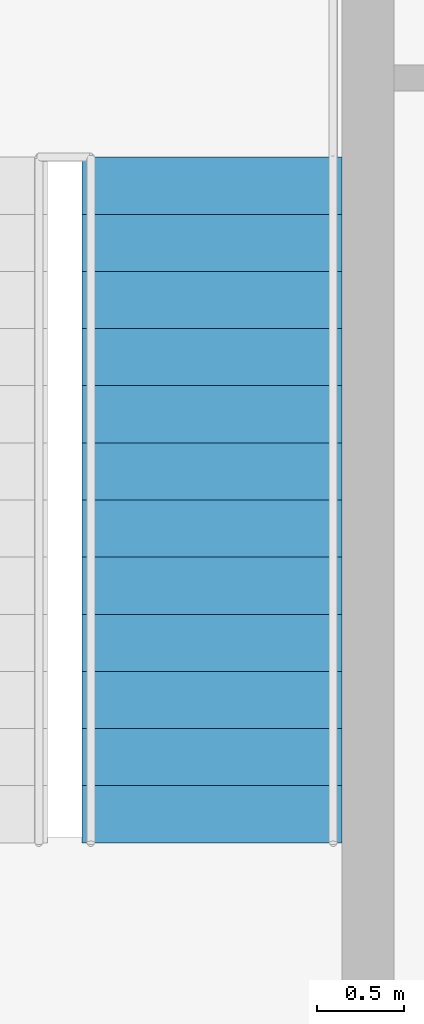
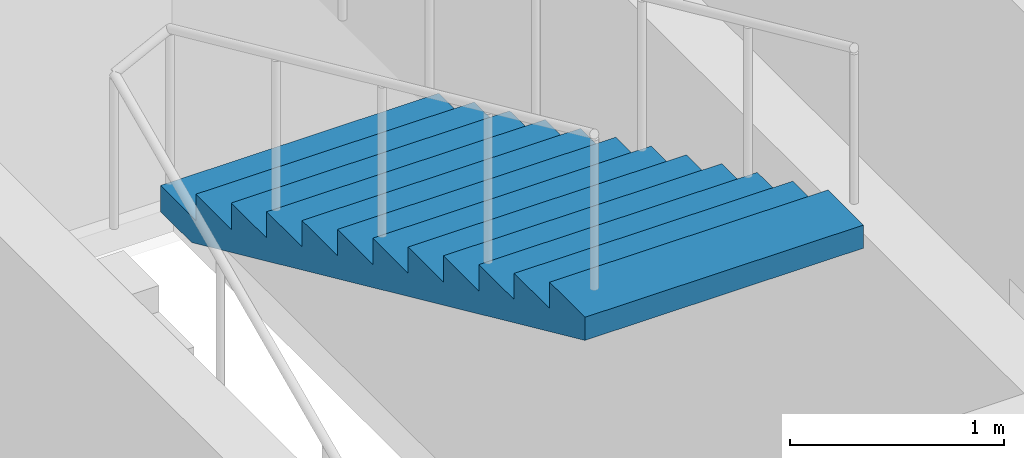
# One storey, part 9 of 10: 1 stair flight, 1 element without a shape of its own.
"""IFC4 building model written with IfcOpenShell, lengths in metres."""

import ifcopenshell
import ifcopenshell.guid

model = None  # the IFC model being written
_history = None  # IfcOwnerHistory: only IFC2X3 demands one
_inside = {}  # id of a spatial element -> (the spatial element, [elements in it])
_under = {}  # id of a project, library or spatial element -> (it, [spatial elements below it])
_declared = {}  # id of a project -> (the project, [libraries it declares])
_typed = {}  # id of a type object -> (the type object, [elements of that type])
_made_of = {}  # id of a material, layer set ... -> (it, [elements and type objects made of it])


def new_model(schema):
    """Start an empty IFC model of exactly this schema.

    Asked for "IFC4X3", IfcOpenShell would pick the latest addendum, in which some entities
    have other attributes; the version numbers below select the first issue.
    IFC2X3 requires an IfcOwnerHistory on every rooted entity: one is made here for all.
    """
    global model, _history
    if schema == "IFC4X3":
        model = ifcopenshell.file(schema_version=(4, 3, 0, 0))
    else:
        model = ifcopenshell.file(schema=schema)
    _inside.clear()
    _under.clear()
    _declared.clear()
    _typed.clear()
    _made_of.clear()
    _history = None
    if model.schema == "IFC2X3":
        org = make("IfcOrganization", Name="unknown")
        user = make(
            "IfcPersonAndOrganization",
            ThePerson=make("IfcPerson", FamilyName="unknown"),
            TheOrganization=org,
        )
        app = make(
            "IfcApplication",
            ApplicationDeveloper=org,
            Version="unknown",
            ApplicationFullName="unknown",
            ApplicationIdentifier="unknown",
        )
        _history = make(
            "IfcOwnerHistory",
            OwningUser=user,
            OwningApplication=app,
            ChangeAction="ADDED",
            CreationDate=0,
        )
    return model


def make(cls, **values):
    """One entity of the class cls with the attributes given. An attribute that is None is left unset."""
    return model.create_entity(
        cls, **{name: value for name, value in values.items() if value is not None}
    )


def rooted(cls, **values):
    """An entity with a GlobalId (a new one), such as an element, a storey or a relation."""
    return make(cls, GlobalId=ifcopenshell.guid.new(), OwnerHistory=_history, **values)


def si_unit(unit_type, name, prefix=None):
    """IfcSIUnit, for example si_unit("LENGTHUNIT", "METRE", prefix="MILLI")."""
    return make("IfcSIUnit", UnitType=unit_type, Prefix=prefix, Name=name)


def assignment(units):
    """IfcUnitAssignment: the units of a project."""
    return None if units is None else make("IfcUnitAssignment", Units=units)


def point(xyz):
    """IfcCartesianPoint."""
    return None if xyz is None else make("IfcCartesianPoint", Coordinates=xyz)


def direction(xyz):
    """IfcDirection."""
    return None if xyz is None else make("IfcDirection", DirectionRatios=xyz)


def frame(location, z_axis=None, x_axis=None):
    """IfcAxis2Placement3D, a coordinate frame: its origin and axes. An axis left out is left unset."""
    return make(
        "IfcAxis2Placement3D",
        Location=point(location),
        Axis=direction(z_axis),
        RefDirection=direction(x_axis),
    )


def origin():
    """The frame at (0, 0, 0) with its axes left unset."""
    return frame((0.0, 0.0, 0.0))


def place(relative_to, where):
    """IfcLocalPlacement: puts the frame where relative to a parent placement (None: the world)."""
    return make(
        "IfcLocalPlacement", PlacementRelTo=relative_to, RelativePlacement=where
    )


def context(
    kind, dimensions, precision=None, world=None, true_north=None, identifier=None
):
    """IfcGeometricRepresentationContext, for example the 3D "Model" context."""
    return make(
        "IfcGeometricRepresentationContext",
        ContextIdentifier=identifier,
        ContextType=kind,
        CoordinateSpaceDimension=dimensions,
        Precision=precision,
        WorldCoordinateSystem=world,
        TrueNorth=true_north,
    )


def subcontext(parent, identifier, kind, view, scale=None):
    """IfcGeometricRepresentationSubContext, for example "Body" below "Model"."""
    return make(
        "IfcGeometricRepresentationSubContext",
        ContextIdentifier=identifier,
        ContextType=kind,
        ParentContext=parent,
        TargetScale=scale,
        TargetView=view,
    )


def project(units=None, contexts=None):
    """IfcProject with its units and contexts."""
    return rooted(
        "IfcProject",
        Name="project",
        RepresentationContexts=contexts,
        UnitsInContext=assignment(units),
    )


def spatial(cls, under=None, at=None, **own):
    """A site, building, storey or space (cls), placed at a placement, below another one or the project."""
    s = rooted(cls, ObjectPlacement=at, **own)
    if under is not None:
        _under.setdefault(under.id(), (under, []))[1].append(s)
    return s


def point_list(points):
    """IfcCartesianPointList2D or 3D."""
    cls = (
        "IfcCartesianPointList2D" if len(points[0]) == 2 else "IfcCartesianPointList3D"
    )
    return make(cls, CoordList=points)


def polygons(points, faces, closed=None, point_numbers=None):
    """IfcPolygonalFaceSet: a face is its outer loop, then its inner loops; points numbered from 1."""
    made = []
    for loops in faces:
        if len(loops) == 1:
            made.append(make("IfcIndexedPolygonalFace", CoordIndex=loops[0]))
        else:
            made.append(
                make(
                    "IfcIndexedPolygonalFaceWithVoids",
                    CoordIndex=loops[0],
                    InnerCoordIndices=loops[1:],
                )
            )
    return make(
        "IfcPolygonalFaceSet",
        Coordinates=point_list(points),
        Closed=closed,
        Faces=made,
        PnIndex=point_numbers,
    )


def shape(context_of_items, identifier, shape_type, items):
    """IfcShapeRepresentation: the items that make up one representation, for example the "Body"."""
    return make(
        "IfcShapeRepresentation",
        ContextOfItems=context_of_items,
        RepresentationIdentifier=identifier,
        RepresentationType=shape_type,
        Items=items,
    )


def material(Name=None, Category=None):
    """IfcMaterial."""
    return make("IfcMaterial", Name=Name, Category=Category)


def made_of(thing, what):
    """Note that an element or type object is made of a material, layer set ...; save() writes the relation."""
    if what is not None:
        _made_of.setdefault(what.id(), (what, []))[1].append(thing)
    return thing


def type_object(cls, material=None, **own):
    """A type object (cls), such as IfcWallType, which elements share."""
    return made_of(rooted(cls, **own), material)


def element(
    cls,
    number,
    at=None,
    inside=None,
    cuts=None,
    type_object=None,
    material=None,
    context=None,
    identifier="Body",
    shape_type=None,
    held_by="IfcProductDefinitionShape",
    body=None,
    shapes=None,
    **own,
):
    """One element of the class cls, such as IfcWall. Its Tag is "e" and its number.

    at: its placement. inside: the storey or other place that contains it. cuts: it is an
    opening in that element (IfcRelVoidsElement). A single representation is given by context,
    identifier, shape_type and body (its items); several are given by shapes. held_by: the class
    of the entity that holds the representations. save() writes the other relations.
    """
    e = rooted(cls, Tag="e%d" % number, ObjectPlacement=at, **own)
    if body is not None:
        shapes = [shape(context, identifier, shape_type, body)]
    if shapes is not None:
        e.Representation = make(held_by, Representations=shapes)
    if inside is not None:
        _inside.setdefault(inside.id(), (inside, []))[1].append(e)
    if cuts is not None:
        rooted(
            "IfcRelVoidsElement", RelatingBuildingElement=cuts, RelatedOpeningElement=e
        )
    if type_object is not None:
        _typed.setdefault(type_object.id(), (type_object, []))[1].append(e)
    return made_of(e, material)


def aggregate(whole, parts):
    """IfcRelAggregates: a whole, such as a stair, and the parts it consists of."""
    return rooted("IfcRelAggregates", RelatingObject=whole, RelatedObjects=parts)


def save(model, path):
    """Write the relations noted so far, then the file.

    IfcRelAggregates (storeys below a building ...), IfcRelContainedInSpatialStructure (elements
    in a storey), IfcRelDefinesByType, IfcRelAssociatesMaterial and IfcRelDeclares: one each for
    every whole, place, type object, material and project.
    """
    for whole, parts in _under.values():
        aggregate(whole, parts)
    for where, things in _inside.values():
        rooted(
            "IfcRelContainedInSpatialStructure",
            RelatedElements=things,
            RelatingStructure=where,
        )
    for kind, things in _typed.values():
        rooted("IfcRelDefinesByType", RelatedObjects=things, RelatingType=kind)
    for what, things in _made_of.values():
        rooted("IfcRelAssociatesMaterial", RelatedObjects=things, RelatingMaterial=what)
    for by, libraries in _declared.values():
        rooted("IfcRelDeclares", RelatingContext=by, RelatedDefinitions=libraries)
    model.write(path)


model = new_model("IFC4")

# Units and contexts
model_context = context("Model", 3, precision=1e-05, world=origin(), true_north=direction((0.0, 1.0)))
body_context = subcontext(model_context, "Body", "Model", "MODEL_VIEW")
ifc_project = project(units=[si_unit("LENGTHUNIT", "METRE"), si_unit("AREAUNIT", "SQUARE_METRE"), si_unit("VOLUMEUNIT", "CUBIC_METRE"), si_unit("PLANEANGLEUNIT", "RADIAN"), si_unit("MASSUNIT", "GRAM", prefix="KILO")], contexts=[model_context])

# Site, building, storey
site_placement = place(None, origin())
site = spatial("IfcSite", under=ifc_project, at=site_placement, CompositionType="ELEMENT")
building_placement = place(site_placement, origin())
building = spatial("IfcBuilding", under=site, at=building_placement, Name="Njiva Tower", CompositionType="ELEMENT")
storey_placement = place(building_placement, frame((0.0, 0.0, 231.6)))
storey = spatial("IfcBuildingStorey", under=building, at=storey_placement, Name="L52", CompositionType="ELEMENT", Elevation=231.6)

# Stair, stair flight
ifc_material = material(Name="Concrete C40/50", Category="concrete")
stair_type = type_object("IfcStairType", Name="ST4 Exit stair 1500", PredefinedType="HALF_TURN_STAIR", material=ifc_material)
stair_placement = place(storey_placement, origin())
stair = element("IfcStair", 1, at=stair_placement, inside=storey, type_object=stair_type, Name="Stair B", PredefinedType="HALF_TURN_STAIR")
stair_flight_type = type_object("IfcStairFlightType", Name="FL4 Stair flight 1500", PredefinedType="STRAIGHT", material=ifc_material)
stair_flight_placement = place(storey_placement, frame((13.45, 15.06, 1.95), z_axis=(0.0, 0.0, 1.0), x_axis=(0.0, -1.0, 0.0)))
stair_flight = element("IfcStairFlight", 2, at=stair_flight_placement, type_object=stair_flight_type, Name="ST-B flight 2", NumberOfRisers=13, NumberOfTreads=12, PredefinedType="STRAIGHT", RiserHeight=0.15, TreadLength=0.33, context=body_context, shape_type="Tessellation", body=[
    polygons([(0.0, 0.75, 0.0), (0.0, 0.375, 0.0), (0.0, 0.0, 0.0), (0.0, -0.375, 0.0), (0.0, -0.75, 0.0), (0.0, 0.75, 0.15), (0.0, 0.375, 0.15), (0.0, 0.0, 0.15), (0.0, -0.375, 0.15), (0.0, -0.75, 0.15), (0.33, 0.75, 0.15), (0.33, 0.375, 0.15), (0.33, 0.0, 0.15), (0.33, -0.375, 0.15), (0.33, -0.75, 0.15), (0.33, 0.75, 0.3), (0.33, 0.375, 0.3), (0.33, 0.0, 0.3), (0.33, -0.375, 0.3), (0.33, -0.75, 0.3), (0.66, 0.75, 0.3), (0.66, 0.375, 0.3), (0.66, 0.0, 0.3), (0.66, -0.375, 0.3), (0.66, -0.75, 0.3), (0.66, 0.75, 0.45), (0.66, 0.375, 0.45), (0.66, 0.0, 0.45), (0.66, -0.375, 0.45), (0.66, -0.75, 0.45), (0.99, 0.75, 0.45), (0.99, 0.375, 0.45), (0.99, 0.0, 0.45), (0.99, -0.375, 0.45), (0.99, -0.75, 0.45), (0.99, 0.75, 0.6), (0.99, 0.375, 0.6), (0.99, 0.0, 0.6), (0.99, -0.375, 0.6), (0.99, -0.75, 0.6), (1.32, 0.75, 0.6), (1.32, 0.375, 0.6), (1.32, 0.0, 0.6), (1.32, -0.375, 0.6), (1.32, -0.75, 0.6), (1.32, 0.75, 0.75), (1.32, 0.375, 0.75), (1.32, 0.0, 0.75), (1.32, -0.375, 0.75), (1.32, -0.75, 0.75), (1.65, 0.75, 0.75), (1.65, 0.375, 0.75), (1.65, 0.0, 0.75), (1.65, -0.375, 0.75), (1.65, -0.75, 0.75), (1.65, 0.75, 0.9), (1.65, 0.375, 0.9), (1.65, 0.0, 0.9), (1.65, -0.375, 0.9), (1.65, -0.75, 0.9), (1.98, 0.75, 0.9), (1.98, 0.375, 0.9), (1.98, 0.0, 0.9), (1.98, -0.375, 0.9), (1.98, -0.75, 0.9), (1.98, 0.75, 1.05), (1.98, 0.375, 1.05), (1.98, 0.0, 1.05), (1.98, -0.375, 1.05), (1.98, -0.75, 1.05), (2.31, 0.75, 1.05), (2.31, 0.375, 1.05), (2.31, 0.0, 1.05), (2.31, -0.375, 1.05), (2.31, -0.75, 1.05), (2.31, 0.75, 1.2), (2.31, 0.375, 1.2), (2.31, 0.0, 1.2), (2.31, -0.375, 1.2), (2.31, -0.75, 1.2), (2.64, 0.75, 1.2), (2.64, 0.375, 1.2), (2.64, 0.0, 1.2), (2.64, -0.375, 1.2), (2.64, -0.75, 1.2), (2.64, 0.75, 1.35), (2.64, 0.375, 1.35), (2.64, 0.0, 1.35), (2.64, -0.375, 1.35), (2.64, -0.75, 1.35), (2.97, 0.75, 1.35), (2.97, 0.375, 1.35), (2.97, 0.0, 1.35), (2.97, -0.375, 1.35), (2.97, -0.75, 1.35), (2.97, 0.75, 1.5), (2.97, 0.375, 1.5), (2.97, 0.0, 1.5), (2.97, -0.375, 1.5), (2.97, -0.75, 1.5), (3.3, 0.75, 1.5), (3.3, 0.375, 1.5), (3.3, 0.0, 1.5), (3.3, -0.375, 1.5), (3.3, -0.75, 1.5), (3.3, 0.75, 1.65), (3.3, 0.375, 1.65), (3.3, 0.0, 1.65), (3.3, -0.375, 1.65), (3.3, -0.75, 1.65), (3.63, 0.75, 1.65), (3.63, 0.375, 1.65), (3.63, 0.0, 1.65), (3.63, -0.375, 1.65), (3.63, -0.75, 1.65), (3.63, 0.75, 1.8), (3.63, 0.375, 1.8), (3.63, 0.0, 1.8), (3.63, -0.375, 1.8), (3.63, -0.75, 1.8), (3.96, 0.75, 1.8), (3.96, 0.375, 1.8), (3.96, 0.0, 1.8), (3.96, -0.375, 1.8), (3.96, -0.75, 1.8), (3.96, 0.75, 1.6682), (3.96, 0.375, 1.6682), (3.96, 0.0, 1.6682), (3.96, -0.375, 1.6682), (3.96, -0.75, 1.6682), (0.29, 0.75, 0.0), (0.29, 0.375, 0.0), (0.29, 0.0, 0.0), (0.29, -0.375, 0.0), (0.29, -0.75, 0.0)], [[[1, 6, 11, 16, 21, 26, 31, 36, 41, 46, 51, 56, 61, 66, 71, 76, 81, 86, 91, 96, 101, 106, 111, 116, 121, 126, 131]], [[135, 130, 125, 120, 115, 110, 105, 100, 95, 90, 85, 80, 75, 70, 65, 60, 55, 50, 45, 40, 35, 30, 25, 20, 15, 10, 5]], [[6, 1, 2, 7]], [[7, 2, 3, 8]], [[8, 3, 4, 9]], [[9, 4, 5, 10]], [[11, 6, 7, 12]], [[12, 7, 8, 13]], [[13, 8, 9, 14]], [[14, 9, 10, 15]], [[16, 11, 12, 17]], [[17, 12, 13, 18]], [[18, 13, 14, 19]], [[19, 14, 15, 20]], [[21, 16, 17, 22]], [[22, 17, 18, 23]], [[23, 18, 19, 24]], [[24, 19, 20, 25]], [[26, 21, 22, 27]], [[27, 22, 23, 28]], [[28, 23, 24, 29]], [[29, 24, 25, 30]], [[31, 26, 27, 32]], [[32, 27, 28, 33]], [[33, 28, 29, 34]], [[34, 29, 30, 35]], [[36, 31, 32, 37]], [[37, 32, 33, 38]], [[38, 33, 34, 39]], [[39, 34, 35, 40]], [[41, 36, 37, 42]], [[42, 37, 38, 43]], [[43, 38, 39, 44]], [[44, 39, 40, 45]], [[46, 41, 42, 47]], [[47, 42, 43, 48]], [[48, 43, 44, 49]], [[49, 44, 45, 50]], [[51, 46, 47, 52]], [[52, 47, 48, 53]], [[53, 48, 49, 54]], [[54, 49, 50, 55]], [[56, 51, 52, 57]], [[57, 52, 53, 58]], [[58, 53, 54, 59]], [[59, 54, 55, 60]], [[61, 56, 57, 62]], [[62, 57, 58, 63]], [[63, 58, 59, 64]], [[64, 59, 60, 65]], [[66, 61, 62, 67]], [[67, 62, 63, 68]], [[68, 63, 64, 69]], [[69, 64, 65, 70]], [[71, 66, 67, 72]], [[72, 67, 68, 73]], [[73, 68, 69, 74]], [[74, 69, 70, 75]], [[76, 71, 72, 77]], [[77, 72, 73, 78]], [[78, 73, 74, 79]], [[79, 74, 75, 80]], [[81, 76, 77, 82]], [[82, 77, 78, 83]], [[83, 78, 79, 84]], [[84, 79, 80, 85]], [[86, 81, 82, 87]], [[87, 82, 83, 88]], [[88, 83, 84, 89]], [[89, 84, 85, 90]], [[91, 86, 87, 92]], [[92, 87, 88, 93]], [[93, 88, 89, 94]], [[94, 89, 90, 95]], [[96, 91, 92, 97]], [[97, 92, 93, 98]], [[98, 93, 94, 99]], [[99, 94, 95, 100]], [[101, 96, 97, 102]], [[102, 97, 98, 103]], [[103, 98, 99, 104]], [[104, 99, 100, 105]], [[106, 101, 102, 107]], [[107, 102, 103, 108]], [[108, 103, 104, 109]], [[109, 104, 105, 110]], [[111, 106, 107, 112]], [[112, 107, 108, 113]], [[113, 108, 109, 114]], [[114, 109, 110, 115]], [[116, 111, 112, 117]], [[117, 112, 113, 118]], [[118, 113, 114, 119]], [[119, 114, 115, 120]], [[121, 116, 117, 122]], [[122, 117, 118, 123]], [[123, 118, 119, 124]], [[124, 119, 120, 125]], [[126, 121, 122, 127]], [[127, 122, 123, 128]], [[128, 123, 124, 129]], [[129, 124, 125, 130]], [[131, 126, 127, 132]], [[132, 127, 128, 133]], [[133, 128, 129, 134]], [[134, 129, 130, 135]], [[1, 131, 132, 2]], [[2, 132, 133, 3]], [[3, 133, 134, 4]], [[4, 134, 135, 5]]], closed=True),
])
aggregate(stair, [stair_flight])

save(model, "model.ifc")
